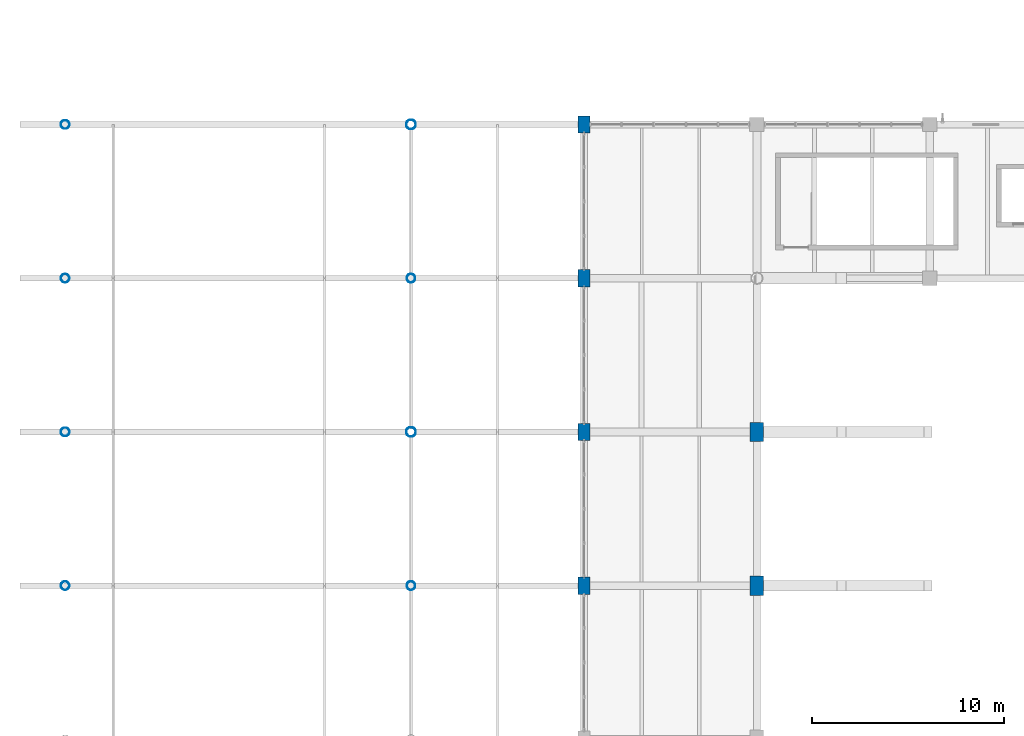
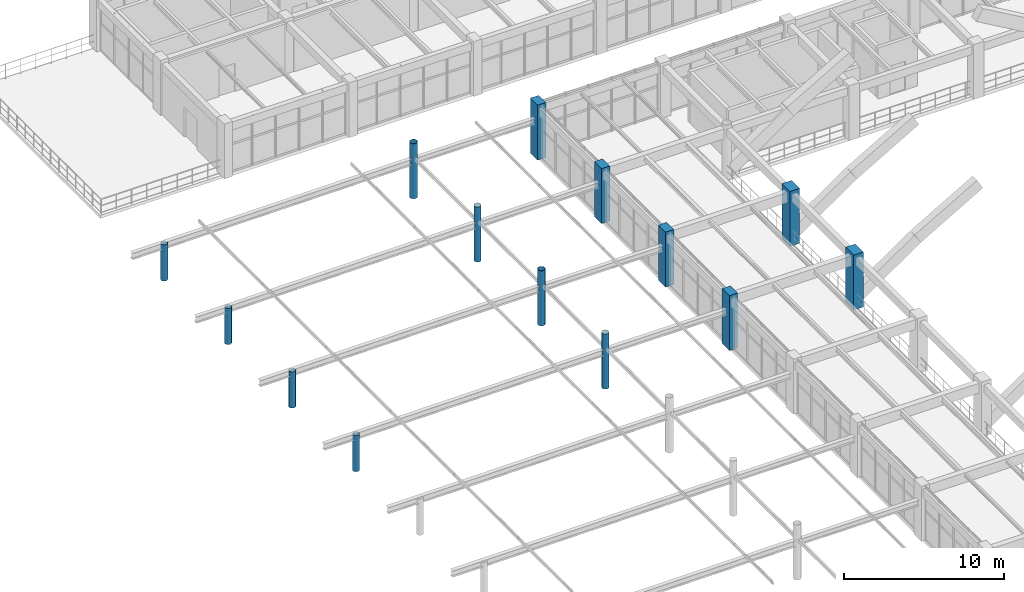
# One storey, part 6 of 148: 14 columns.
"""IFC4 building model written with IfcOpenShell, lengths in metres."""

from ifc_helpers import new_model, si_unit, derived_unit, direction, frame, origin, origin_2d, place, context, subcontext, project, spatial, rectangle, hollow_circle, extrude, material, material_profile, profile_set, type_object, element, save


model = new_model("IFC4")

# Units and contexts
model_context = context("Model", 3, precision=1e-05, world=origin(), true_north=direction((0.0, 1.0)))
body_context = subcontext(model_context, "Body", "Model", "MODEL_VIEW")
ifc_project = project(units=[si_unit("LENGTHUNIT", "METRE"), si_unit("AREAUNIT", "SQUARE_METRE"), si_unit("VOLUMEUNIT", "CUBIC_METRE"), si_unit("PLANEANGLEUNIT", "RADIAN"), si_unit("MASSUNIT", "GRAM", prefix="KILO"), derived_unit("THERMALTRANSMITTANCEUNIT", [(si_unit("MASSUNIT", "GRAM", prefix="KILO"), 1), (si_unit("TIMEUNIT", "SECOND"), -3), (si_unit("THERMODYNAMICTEMPERATUREUNIT", "KELVIN"), -1)])], contexts=[model_context])

# Site, building, storey
site_placement = place(None, origin())
site = spatial("IfcSite", under=ifc_project, at=site_placement, CompositionType="ELEMENT")
building_placement = place(site_placement, origin())
building = spatial("IfcBuilding", under=site, at=building_placement, Name="Zhenchuan Archway Interchange", CompositionType="ELEMENT")
storey_placement = place(building_placement, frame((0.0, 0.0, 10.199951171875)))
storey = spatial("IfcBuildingStorey", under=building, at=storey_placement, Name="L02", CompositionType="ELEMENT", Elevation=10.199951171875)

# Columns
ifc_material_1 = material(Name="Concrete C40", Category="concrete")
ifc_material_profile_1 = material_profile(ifc_material_1, rectangle(XDim=0.60009765625, YDim=0.89990234375, at=origin_2d()), Name="RC 600x900")
ifc_profile_set_1 = profile_set([ifc_material_profile_1], Name="Concrete C40")
column_type_1 = type_object("IfcColumnType", Name="COL_RC_600x900", PredefinedType="COLUMN", material=ifc_profile_set_1)
for number, where, z_axis, x_axis, name in (
    (1, (27.0, 64.0, 0.0), (0.0, 0.0, 1.0), (1.0, 0.0, 0.0), "Column 4/J (L02)"),
    (2, (27.0, 72.0, 0.0), (0.0, 0.0, 1.0), (1.0, 0.0, 0.0), "Column 4/K (L02)"),
    (3, (27.0, 80.0, 0.0), (0.0, 0.0, 1.0), (1.0, 0.0, 0.0), "Column 4/L (L02)"),
    (4, (27.0, 88.0, 0.0), (0.0, 0.0, 1.0), (1.0, 0.0, 0.0), "Column 4/M (L02)"),
):
    element("IfcColumn", number, at=place(storey_placement, frame(where, z_axis=z_axis, x_axis=x_axis)), inside=storey, type_object=column_type_1, Name=name, PredefinedType="COLUMN", context=body_context, shape_type="SweptSolid", body=[
        extrude(rectangle(XDim=0.60009765625, YDim=0.89990234375, at=origin_2d()), origin(), (0.0, 0.0, 1.0), 4.199951171875),
    ])
ifc_material_2 = material(Name="Concrete C50", Category="concrete")
ifc_material_profile_2 = material_profile(ifc_material_2, rectangle(XDim=0.699951171875, YDim=1.0, at=origin_2d()), Name="RC 700x1000")
ifc_profile_set_2 = profile_set([ifc_material_profile_2], Name="Concrete C50")
column_type_2 = type_object("IfcColumnType", Name="COL_RC_700x1000_T", PredefinedType="COLUMN", material=ifc_profile_set_2)
for number, where, z_axis, x_axis, name in (
    (5, (36.0, 64.0, 0.0), (0.0, 0.0, 1.0), (1.0, 0.0, 0.0), "Column 5/J (L02)"),
    (6, (36.0, 72.0, 0.0), (0.0, 0.0, 1.0), (1.0, 0.0, 0.0), "Column 5/K (L02)"),
):
    element("IfcColumn", number, at=place(storey_placement, frame(where, z_axis=z_axis, x_axis=x_axis)), inside=storey, type_object=column_type_2, Name=name, PredefinedType="COLUMN", context=body_context, shape_type="SweptSolid", body=[
        extrude(rectangle(XDim=0.699951171875, YDim=1.0, at=origin_2d()), origin(), (0.0, 0.0, 1.0), 4.199951171875),
    ])
ifc_material_3 = material(Name="Steel Q390", Category="steel")
ifc_material_profile_3 = material_profile(ifc_material_3, hollow_circle(Radius=0.228515625, WallThickness=0.01611328125, at=origin_2d()), Name="CHS 457x16")
ifc_profile_set_3 = profile_set([ifc_material_profile_3], Name="Steel Q390")
column_type_3 = type_object("IfcColumnType", Name="COL_STL_CHS457", PredefinedType="COLUMN", material=ifc_profile_set_3)
for number, where, z_axis, x_axis, name in (
    (7, (0.0, 64.0, 0.0), (0.0, 0.0, 1.0), (1.0, 0.0, 0.0), "Column 1/J (L02)"),
    (8, (0.0, 72.0, 0.0), (0.0, 0.0, 1.0), (1.0, 0.0, 0.0), "Column 1/K (L02)"),
    (9, (0.0, 80.0, 0.0), (0.0, 0.0, 1.0), (1.0, 0.0, 0.0), "Column 1/L (L02)"),
    (10, (0.0, 88.0, 0.0), (0.0, 0.0, 1.0), (1.0, 0.0, 0.0), "Column 1/M (L02)"),
):
    element("IfcColumn", number, at=place(storey_placement, frame(where, z_axis=z_axis, x_axis=x_axis)), inside=storey, type_object=column_type_3, Name=name, PredefinedType="COLUMN", context=body_context, shape_type="SweptSolid", body=[
        extrude(hollow_circle(Radius=0.228515625, WallThickness=0.01611328125, at=origin_2d()), origin(), (0.0, 0.0, 1.0), 2.77001953125),
    ])
for number, where, z_axis, x_axis, name in (
    (11, (18.0, 64.0, 0.0), (0.0, 0.0, 1.0), (1.0, 0.0, 0.0), "Column 3/J (L02)"),
    (12, (18.0, 80.0, 0.0), (0.0, 0.0, 1.0), (1.0, 0.0, 0.0), "Column 3/L (L02)"),
):
    element("IfcColumn", number, at=place(storey_placement, frame(where, z_axis=z_axis, x_axis=x_axis)), inside=storey, type_object=column_type_3, Name=name, PredefinedType="COLUMN", context=body_context, shape_type="SweptSolid", body=[
        extrude(hollow_circle(Radius=0.228515625, WallThickness=0.01611328125, at=origin_2d()), origin(), (0.0, 0.0, 1.0), 4.199951171875),
    ])
ifc_material_profile_4 = material_profile(ifc_material_3, hollow_circle(Radius=0.25390625, WallThickness=0.01611328125, at=origin_2d()), Name="CHS 508x16")
ifc_profile_set_4 = profile_set([ifc_material_profile_4], Name="Steel Q390")
column_type_4 = type_object("IfcColumnType", Name="COL_STL_CHS508", PredefinedType="COLUMN", material=ifc_profile_set_4)
for number, where, z_axis, x_axis, name in (
    (13, (18.0, 72.0, 0.0), (0.0, 0.0, 1.0), (1.0, 0.0, 0.0), "Column 3/K (L02)"),
    (14, (18.0, 88.0, 0.0), (0.0, 0.0, 1.0), (1.0, 0.0, 0.0), "Column 3/M (L02)"),
):
    element("IfcColumn", number, at=place(storey_placement, frame(where, z_axis=z_axis, x_axis=x_axis)), inside=storey, type_object=column_type_4, Name=name, PredefinedType="COLUMN", context=body_context, shape_type="SweptSolid", body=[
        extrude(hollow_circle(Radius=0.25390625, WallThickness=0.01611328125, at=origin_2d()), origin(), (0.0, 0.0, 1.0), 4.199951171875),
    ])

save(model, "model.ifc")
